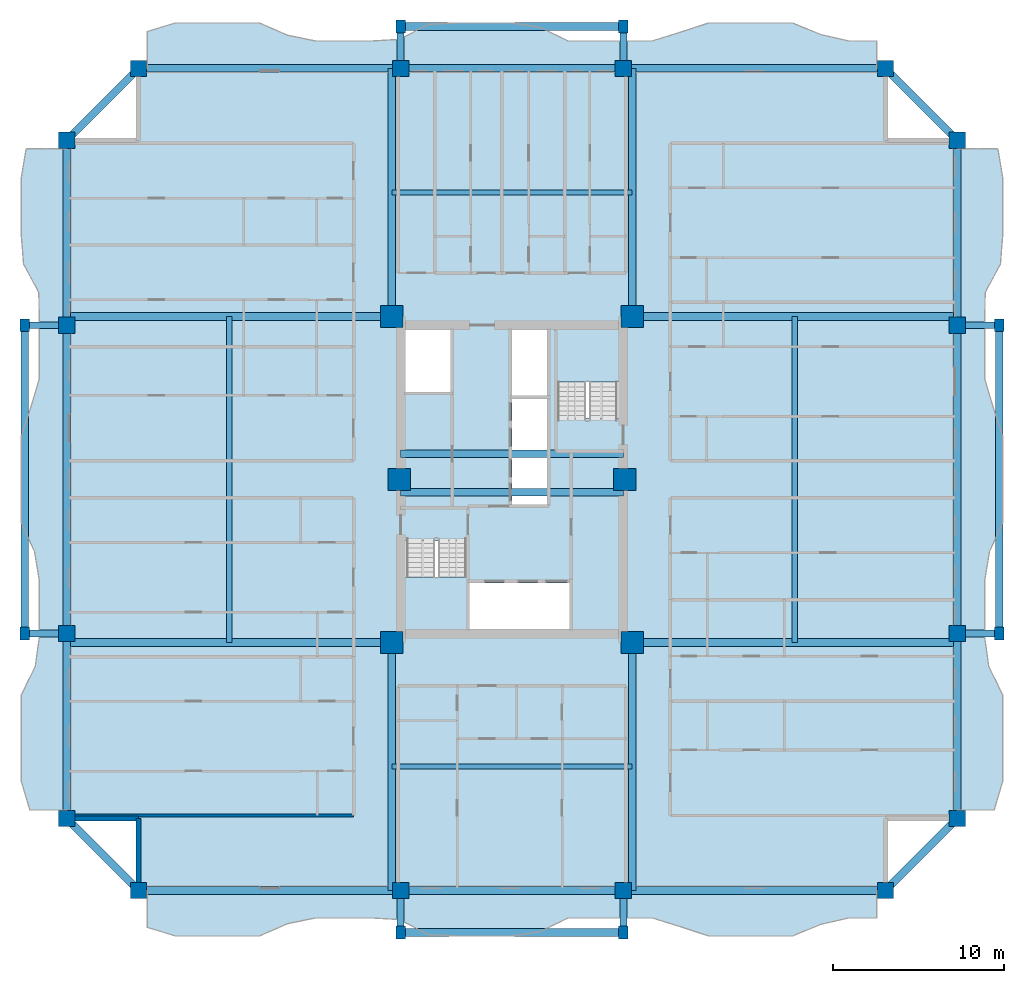
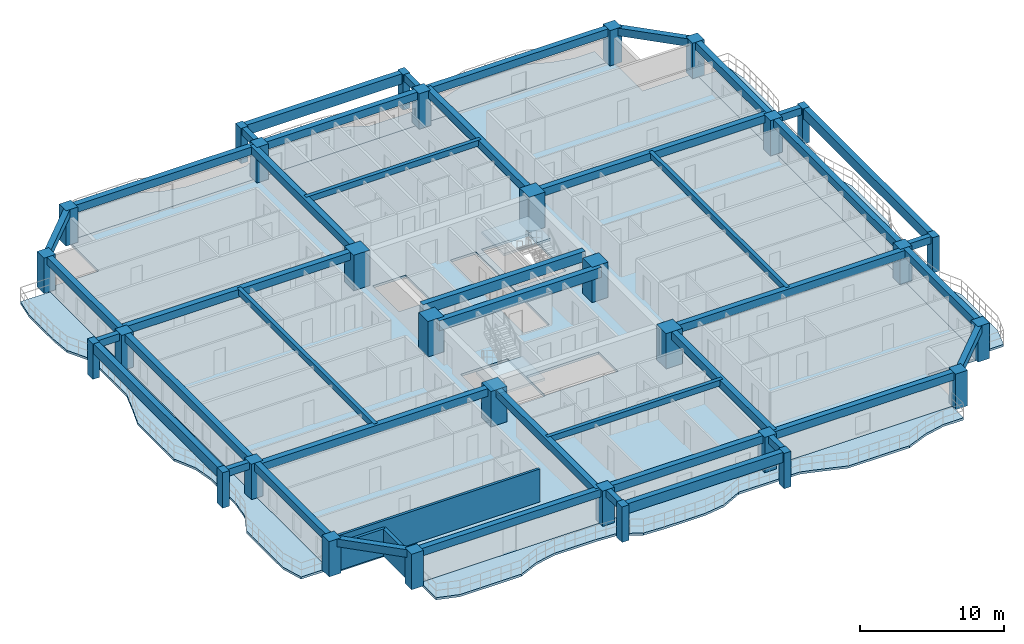
# One storey, part 1 of 14: 42 beams, 30 columns, 7 slabs, 3 walls, 2 elements without a shape of their own.
"""IFC4 building model written with IfcOpenShell, lengths in metres."""

from ifc_helpers import new_model, si_unit, direction, frame, frame_2d, origin, origin_2d, place, context, subcontext, project, spatial, polyline, rectangle, outline, extrude, source, transform, mapped, material, layer, layer_set, material_profile, profile_set, type_object, element, aggregate, save


model = new_model("IFC4")

# Units and contexts
model_context = context("Model", 3, precision=1e-05, world=origin(), true_north=direction((0.0, 1.0)))
body_context = subcontext(model_context, "Body", "Model", "MODEL_VIEW")
ifc_project = project(units=[si_unit("LENGTHUNIT", "METRE"), si_unit("AREAUNIT", "SQUARE_METRE"), si_unit("VOLUMEUNIT", "CUBIC_METRE"), si_unit("PLANEANGLEUNIT", "RADIAN"), si_unit("MASSUNIT", "GRAM", prefix="KILO")], contexts=[model_context])

# Site, building, storey
site_placement = place(None, origin())
site = spatial("IfcSite", under=ifc_project, at=site_placement, CompositionType="ELEMENT")
building_placement = place(site_placement, origin())
building = spatial("IfcBuilding", under=site, at=building_placement, Name="Saelheon Loggia Tower", CompositionType="ELEMENT")
storey_placement = place(building_placement, frame((0.0, 0.0, 113.85009765625)))
storey = spatial("IfcBuildingStorey", under=building, at=storey_placement, Name="L36", CompositionType="ELEMENT", Elevation=113.85009765625)

# Columns
ifc_material_1 = material(Name="Precast Concrete C45/55", Category="concrete")
ifc_material_profile_1 = material_profile(ifc_material_1, rectangle(XDim=0.550048828125, YDim=0.75, at=origin_2d()), Name="RC-550x750")
ifc_profile_set_1 = profile_set([ifc_material_profile_1], Name="Precast Concrete C45/55")
column_type_1 = type_object("IfcColumnType", Name="Col_Loggia_Pilaster_750", PredefinedType="PILASTER", material=ifc_profile_set_1)
shared_shape_1 = source(origin(), body_context, "Body", "SweptSolid", [
    extrude(rectangle(XDim=0.550048828125, YDim=0.75, at=origin_2d()), origin(), (0.0, 0.0, 1.0), 3.0),
])
for number, where, z_axis, x_axis, name in (
    (1, (31.5, 0.550048828125, 0.0), (0.0, 0.0, 1.0), (1.0, 0.0, 0.0), "L36 Loggia Frame Pilaster LP-S1"),
    (2, (44.5, 0.550048828125, 0.0), (0.0, 0.0, 1.0), (1.0, 0.0, 0.0), "L36 Loggia Frame Pilaster LP-S2"),
    (3, (31.5, 53.449951171875, 0.0), (0.0, 0.0, 1.0), (1.0, 0.0, 0.0), "L36 Loggia Frame Pilaster LP-N1"),
    (4, (44.5, 53.449951171875, 0.0), (0.0, 0.0, 1.0), (1.0, 0.0, 0.0), "L36 Loggia Frame Pilaster LP-N2"),
    (5, (66.449951171875, 18.0, 0.0), (0.0, 0.0, 1.0), (1.0, 0.0, 0.0), "L36 Loggia Frame Pilaster LP-E1"),
    (6, (66.449951171875, 36.0, 0.0), (0.0, 0.0, 1.0), (1.0, 0.0, 0.0), "L36 Loggia Frame Pilaster LP-E2"),
    (7, (9.550048828125, 18.0, 0.0), (0.0, 0.0, 1.0), (1.0, 0.0, 0.0), "L36 Loggia Frame Pilaster LP-W1"),
    (8, (9.550048828125, 36.0, 0.0), (0.0, 0.0, 1.0), (1.0, 0.0, 0.0), "L36 Loggia Frame Pilaster LP-W2"),
):
    element("IfcColumn", number, at=place(storey_placement, frame(where, z_axis=z_axis, x_axis=x_axis)), inside=storey, type_object=column_type_1, Name=name, PredefinedType="PILASTER", context=body_context, shape_type="MappedRepresentation", body=[
        mapped(shared_shape_1, transform((0.0, 0.0, 0.0), scale=1.0)),
    ])
ifc_material_2 = material(Name="Concrete C60/75", Category="concrete")
ifc_material_profile_2 = material_profile(ifc_material_2, rectangle(XDim=1.300048828125, YDim=1.300048828125, at=origin_2d()), Name="RC-1300x1300")
ifc_profile_set_2 = profile_set([ifc_material_profile_2], Name="Concrete C60/75")
column_type_2 = type_object("IfcColumnType", Name="Col_Core_RC1300", PredefinedType="COLUMN", material=ifc_profile_set_2)
shared_shape_2 = source(origin(), body_context, "Body", "SweptSolid", [
    extrude(rectangle(XDim=1.300048828125, YDim=1.300048828125, at=origin_2d()), origin(), (0.0, 0.0, 1.0), 3.0),
])
for number, where, z_axis, x_axis, name in (
    (9, (30.97998046875, 17.47998046875, 0.0), (0.0, 0.0, 1.0), (1.0, 0.0, 0.0), "L36 Core Column CR-SW"),
    (10, (45.02001953125, 17.47998046875, 0.0), (0.0, 0.0, 1.0), (1.0, 0.0, 0.0), "L36 Core Column CR-SE"),
    (11, (30.97998046875, 36.52001953125, 0.0), (0.0, 0.0, 1.0), (1.0, 0.0, 0.0), "L36 Core Column CR-NW"),
    (12, (45.02001953125, 36.52001953125, 0.0), (0.0, 0.0, 1.0), (1.0, 0.0, 0.0), "L36 Core Column CR-NE"),
    (13, (31.419921875, 27.0, 0.0), (0.0, 0.0, 1.0), (1.0, 0.0, 0.0), "L36 Core Column CR-MW"),
    (14, (44.580078125, 27.0, 0.0), (0.0, 0.0, 1.0), (1.0, 0.0, 0.0), "L36 Core Column CR-ME"),
):
    element("IfcColumn", number, at=place(storey_placement, frame(where, z_axis=z_axis, x_axis=x_axis)), inside=storey, type_object=column_type_2, Name=name, PredefinedType="COLUMN", context=body_context, shape_type="MappedRepresentation", body=[
        mapped(shared_shape_2, transform((0.0, 0.0, 0.0), scale=1.0)),
    ])
ifc_material_3 = material(Name="Concrete C50/60", Category="concrete")
ifc_material_profile_3 = material_profile(ifc_material_3, rectangle(XDim=0.949951171875, YDim=0.949951171875, at=origin_2d()), Name="RC-950x950")
ifc_profile_set_3 = profile_set([ifc_material_profile_3], Name="Concrete C50/60")
column_type_3 = type_object("IfcColumnType", Name="Col_Perim_RC950", PredefinedType="COLUMN", material=ifc_profile_set_3)
shared_shape_3 = source(origin(), body_context, "Body", "SweptSolid", [
    extrude(rectangle(XDim=0.949951171875, YDim=0.949951171875, at=origin_2d()), origin(), (0.0, 0.0, 1.0), 3.0),
])
for number, where, z_axis, x_axis, name in (
    (15, (16.199951171875, 3.0, 0.0), (0.0, 0.0, 1.0), (1.0, 0.0, 0.0), "L36 Perimeter Column TP-S1"),
    (16, (31.5, 3.0, 0.0), (0.0, 0.0, 1.0), (1.0, 0.0, 0.0), "L36 Perimeter Column TP-SA"),
    (17, (44.5, 3.0, 0.0), (0.0, 0.0, 1.0), (1.0, 0.0, 0.0), "L36 Perimeter Column TP-SB"),
    (18, (59.800048828125, 3.0, 0.0), (0.0, 0.0, 1.0), (1.0, 0.0, 0.0), "L36 Perimeter Column TP-S2"),
    (19, (64.0, 7.199951171875, 0.0), (0.0, 0.0, 1.0), (1.0, 0.0, 0.0), "L36 Perimeter Column TP-E1"),
    (20, (64.0, 18.0, 0.0), (0.0, 0.0, 1.0), (1.0, 0.0, 0.0), "L36 Perimeter Column TP-EA"),
    (21, (64.0, 36.0, 0.0), (0.0, 0.0, 1.0), (1.0, 0.0, 0.0), "L36 Perimeter Column TP-EB"),
    (22, (64.0, 46.800048828125, 0.0), (0.0, 0.0, 1.0), (1.0, 0.0, 0.0), "L36 Perimeter Column TP-E2"),
    (23, (59.800048828125, 51.0, 0.0), (0.0, 0.0, 1.0), (1.0, 0.0, 0.0), "L36 Perimeter Column TP-N2"),
    (24, (44.5, 51.0, 0.0), (0.0, 0.0, 1.0), (1.0, 0.0, 0.0), "L36 Perimeter Column TP-NB"),
    (25, (31.5, 51.0, 0.0), (0.0, 0.0, 1.0), (1.0, 0.0, 0.0), "L36 Perimeter Column TP-NA"),
    (26, (16.199951171875, 51.0, 0.0), (0.0, 0.0, 1.0), (1.0, 0.0, 0.0), "L36 Perimeter Column TP-N1"),
    (27, (12.0, 46.800048828125, 0.0), (0.0, 0.0, 1.0), (1.0, 0.0, 0.0), "L36 Perimeter Column TP-W2"),
    (28, (12.0, 36.0, 0.0), (0.0, 0.0, 1.0), (1.0, 0.0, 0.0), "L36 Perimeter Column TP-WB"),
    (29, (12.0, 18.0, 0.0), (0.0, 0.0, 1.0), (1.0, 0.0, 0.0), "L36 Perimeter Column TP-WA"),
    (30, (12.0, 7.199951171875, 0.0), (0.0, 0.0, 1.0), (1.0, 0.0, 0.0), "L36 Perimeter Column TP-W1"),
):
    element("IfcColumn", number, at=place(storey_placement, frame(where, z_axis=z_axis, x_axis=x_axis)), inside=storey, type_object=column_type_3, Name=name, PredefinedType="COLUMN", context=body_context, shape_type="MappedRepresentation", body=[
        mapped(shared_shape_3, transform((0.0, 0.0, 0.0), scale=1.0)),
    ])

# Beams
ifc_material_profile_4 = material_profile(ifc_material_3, rectangle(XDim=0.449951171875, YDim=0.85009765625, at=origin_2d()), Name="RC-450x850")
ifc_profile_set_4 = profile_set([ifc_material_profile_4], Name="Concrete C50/60")
beam_type_1 = type_object("IfcBeamType", Name="Beam_CoreLintel_RC450x850", PredefinedType="LINTEL", material=ifc_profile_set_4)
shared_shape_4 = source(origin(), body_context, "Body", "SweptSolid", [
    extrude(rectangle(XDim=0.449951171875, YDim=0.85009765625, at=origin_2d()), origin(), (0.0, 0.0, 1.0), 13.0),
])
for number, where, z_axis, x_axis, name in (
    (31, (31.5, 26.25, 2.574951171875), (1.0, 0.0, 0.0), (0.0, 1.0, 0.0), "L36 Core Coupling Lintel 1"),
    (32, (31.5, 28.5, 2.574951171875), (1.0, 0.0, 0.0), (0.0, 1.0, 0.0), "L36 Core Coupling Lintel 2"),
):
    element("IfcBeam", number, at=place(storey_placement, frame(where, z_axis=z_axis, x_axis=x_axis)), inside=storey, type_object=beam_type_1, Name=name, PredefinedType="LINTEL", context=body_context, shape_type="MappedRepresentation", body=[
        mapped(shared_shape_4, transform((0.0, 0.0, 0.0), scale=1.0)),
    ])
ifc_material_profile_5 = material_profile(ifc_material_1, rectangle(XDim=0.449951171875, YDim=0.85009765625, at=origin_2d()), Name="RC-450x850")
ifc_profile_set_5 = profile_set([ifc_material_profile_5], Name="Precast Concrete C45/55")
beam_type_2 = type_object("IfcBeamType", Name="Beam_LoggiaSpandrel_RC450x850", PredefinedType="SPANDREL", material=ifc_profile_set_5)
for number, where, z_axis, x_axis, name in (
    (33, (31.5, 0.550048828125, 2.574951171875), (1.0, 0.0, 0.0), (0.0, 1.0, 0.0), "L36 Loggia Spandrel Beam S"),
    (34, (31.5, 53.449951171875, 2.574951171875), (1.0, 0.0, 0.0), (0.0, 1.0, 0.0), "L36 Loggia Spandrel Beam N"),
):
    element("IfcBeam", number, at=place(storey_placement, frame(where, z_axis=z_axis, x_axis=x_axis)), inside=storey, type_object=beam_type_2, Name=name, PredefinedType="SPANDREL", context=body_context, shape_type="MappedRepresentation", body=[
        mapped(shared_shape_4, transform((0.0, 0.0, 0.0), scale=1.0)),
    ])
ifc_material_profile_6 = material_profile(ifc_material_1, rectangle(XDim=0.39990234375, YDim=0.60009765625, at=origin_2d()), Name="RC-400x600")
ifc_profile_set_6 = profile_set([ifc_material_profile_6], Name="Precast Concrete C45/55")
beam_type_3 = type_object("IfcBeamType", Name="Beam_LoggiaTie_RC400x600", PredefinedType="BEAM", material=ifc_profile_set_6)
shared_shape_5 = source(origin(), body_context, "Body", "SweptSolid", [
    extrude(rectangle(XDim=0.39990234375, YDim=0.60009765625, at=origin_2d()), origin(), (0.0, 0.0, 1.0), 2.449951171875),
])
for number, where, z_axis, x_axis, name in (
    (35, (31.5, 3.0, 2.699951171875), (0.0, -1.0, 0.0), (1.0, 0.0, 0.0), "L36 Loggia Frame Tie Beam LP-S1"),
    (36, (44.5, 3.0, 2.699951171875), (0.0, -1.0, 0.0), (1.0, 0.0, 0.0), "L36 Loggia Frame Tie Beam LP-S2"),
    (37, (31.5, 51.0, 2.699951171875), (0.0, 1.0, 0.0), (-1.0, 0.0, 0.0), "L36 Loggia Frame Tie Beam LP-N1"),
    (38, (44.5, 51.0, 2.699951171875), (0.0, 1.0, 0.0), (-1.0, 0.0, 0.0), "L36 Loggia Frame Tie Beam LP-N2"),
    (39, (64.0, 18.0, 2.699951171875), (1.0, 0.0, 0.0), (0.0, 1.0, 0.0), "L36 Loggia Frame Tie Beam LP-E1"),
    (40, (64.0, 36.0, 2.699951171875), (1.0, 0.0, 0.0), (0.0, 1.0, 0.0), "L36 Loggia Frame Tie Beam LP-E2"),
    (41, (12.0, 18.0, 2.699951171875), (-1.0, 0.0, 0.0), (0.0, -1.0, 0.0), "L36 Loggia Frame Tie Beam LP-W1"),
    (42, (12.0, 36.0, 2.699951171875), (-1.0, 0.0, 0.0), (0.0, -1.0, 0.0), "L36 Loggia Frame Tie Beam LP-W2"),
):
    element("IfcBeam", number, at=place(storey_placement, frame(where, z_axis=z_axis, x_axis=x_axis)), inside=storey, type_object=beam_type_3, Name=name, PredefinedType="BEAM", context=body_context, shape_type="MappedRepresentation", body=[
        mapped(shared_shape_5, transform((0.0, 0.0, 0.0), scale=1.0)),
    ])
shared_shape_6 = source(origin(), body_context, "Body", "SweptSolid", [
    extrude(rectangle(XDim=0.449951171875, YDim=0.85009765625, at=origin_2d()), origin(), (0.0, 0.0, 1.0), 18.0),
])
for number, where, z_axis, x_axis, name in (
    (43, (66.449951171875, 18.0, 2.574951171875), (0.0, 1.0, 0.0), (-1.0, 0.0, 0.0), "L36 Loggia Spandrel Beam E"),
    (44, (9.550048828125, 18.0, 2.574951171875), (0.0, 1.0, 0.0), (-1.0, 0.0, 0.0), "L36 Loggia Spandrel Beam W"),
):
    element("IfcBeam", number, at=place(storey_placement, frame(where, z_axis=z_axis, x_axis=x_axis)), inside=storey, type_object=beam_type_2, Name=name, PredefinedType="SPANDREL", context=body_context, shape_type="MappedRepresentation", body=[
        mapped(shared_shape_6, transform((0.0, 0.0, 0.0), scale=1.0)),
    ])
ifc_material_4 = material(Name="Concrete C40/50", Category="concrete")
ifc_material_profile_7 = material_profile(ifc_material_4, rectangle(XDim=0.449951171875, YDim=0.64990234375, at=origin_2d()), Name="RC-450x650")
ifc_profile_set_7 = profile_set([ifc_material_profile_7], Name="Concrete C40/50")
beam_type_4 = type_object("IfcBeamType", Name="Beam_PerimTower_RC450x650", PredefinedType="BEAM", material=ifc_profile_set_7)
shared_shape_7 = source(origin(), body_context, "Body", "SweptSolid", [
    extrude(rectangle(XDim=0.449951171875, YDim=0.64990234375, at=origin_2d()), origin(), (0.0, 0.0, 1.0), 15.300048828125),
])
for number, where, z_axis, x_axis, name in (
    (45, (16.199951171875, 3.0, 2.6748046875), (1.0, 0.0, 0.0), (0.0, 1.0, 0.0), "L36 Perimeter Frame Girder 01"),
    (46, (44.5, 3.0, 2.6748046875), (1.0, 0.0, 0.0), (0.0, 1.0, 0.0), "L36 Perimeter Frame Girder 03"),
    (47, (59.800048828125, 51.0, 2.6748046875), (-1.0, 0.0, 0.0), (0.0, -1.0, 0.0), "L36 Perimeter Frame Girder 09"),
    (48, (31.5, 51.0, 2.6748046875), (-1.0, 0.0, 0.0), (0.0, -1.0, 0.0), "L36 Perimeter Frame Girder 11"),
):
    element("IfcBeam", number, at=place(storey_placement, frame(where, z_axis=z_axis, x_axis=x_axis)), inside=storey, type_object=beam_type_4, Name=name, PredefinedType="BEAM", context=body_context, shape_type="MappedRepresentation", body=[
        mapped(shared_shape_7, transform((0.0, 0.0, 0.0), scale=1.0)),
    ])
shared_shape_8 = source(origin(), body_context, "Body", "SweptSolid", [
    extrude(rectangle(XDim=0.449951171875, YDim=0.64990234375, at=origin_2d()), origin(), (0.0, 0.0, 1.0), 13.0),
])
for number, where, z_axis, x_axis, name in (
    (49, (31.5, 3.0, 2.6748046875), (1.0, 0.0, 0.0), (0.0, 1.0, 0.0), "L36 Perimeter Frame Girder 02"),
    (50, (44.5, 51.0, 2.6748046875), (-1.0, 0.0, 0.0), (0.0, -1.0, 0.0), "L36 Perimeter Frame Girder 10"),
):
    element("IfcBeam", number, at=place(storey_placement, frame(where, z_axis=z_axis, x_axis=x_axis)), inside=storey, type_object=beam_type_4, Name=name, PredefinedType="BEAM", context=body_context, shape_type="MappedRepresentation", body=[
        mapped(shared_shape_8, transform((0.0, 0.0, 0.0), scale=1.0)),
    ])
shared_shape_9 = source(origin(), body_context, "Body", "SweptSolid", [
    extrude(rectangle(XDim=0.449951171875, YDim=0.64990234375, at=origin_2d()), origin(), (0.0, 0.0, 1.0), 5.939697265625),
])
for number, where, z_axis, x_axis, name in (
    (51, (59.800048828125, 3.0, 2.6748046875), (0.707106781187, 0.707106781187, 0.0), (-0.707106781187, 0.707106781187, 0.0), "L36 Perimeter Frame Girder 04"),
    (52, (64.0, 46.800048828125, 2.6748046875), (-0.707106781187, 0.707106781187, 0.0), (-0.707106781187, -0.707106781187, 0.0), "L36 Perimeter Frame Girder 08"),
    (53, (16.199951171875, 51.0, 2.6748046875), (-0.707106781187, -0.707106781187, 0.0), (0.707106781187, -0.707106781187, 0.0), "L36 Perimeter Frame Girder 12"),
    (54, (12.0, 7.199951171875, 2.6748046875), (0.707106781187, -0.707106781187, 0.0), (0.707106781187, 0.707106781187, 0.0), "L36 Perimeter Frame Girder 16"),
):
    element("IfcBeam", number, at=place(storey_placement, frame(where, z_axis=z_axis, x_axis=x_axis)), inside=storey, type_object=beam_type_4, Name=name, PredefinedType="BEAM", context=body_context, shape_type="MappedRepresentation", body=[
        mapped(shared_shape_9, transform((0.0, 0.0, 0.0), scale=1.0)),
    ])
shared_shape_10 = source(origin(), body_context, "Body", "SweptSolid", [
    extrude(rectangle(XDim=0.449951171875, YDim=0.64990234375, at=origin_2d()), origin(), (0.0, 0.0, 1.0), 10.800048828125),
])
for number, where, z_axis, x_axis, name in (
    (55, (64.0, 7.199951171875, 2.6748046875), (0.0, 1.0, 0.0), (-1.0, 0.0, 0.0), "L36 Perimeter Frame Girder 05"),
    (56, (64.0, 36.0, 2.6748046875), (0.0, 1.0, 0.0), (-1.0, 0.0, 0.0), "L36 Perimeter Frame Girder 07"),
    (57, (12.0, 46.800048828125, 2.6748046875), (0.0, -1.0, 0.0), (1.0, 0.0, 0.0), "L36 Perimeter Frame Girder 13"),
    (58, (12.0, 18.0, 2.6748046875), (0.0, -1.0, 0.0), (1.0, 0.0, 0.0), "L36 Perimeter Frame Girder 15"),
):
    element("IfcBeam", number, at=place(storey_placement, frame(where, z_axis=z_axis, x_axis=x_axis)), inside=storey, type_object=beam_type_4, Name=name, PredefinedType="BEAM", context=body_context, shape_type="MappedRepresentation", body=[
        mapped(shared_shape_10, transform((0.0, 0.0, 0.0), scale=1.0)),
    ])
shared_shape_11 = source(origin(), body_context, "Body", "SweptSolid", [
    extrude(rectangle(XDim=0.449951171875, YDim=0.64990234375, at=origin_2d()), origin(), (0.0, 0.0, 1.0), 18.0),
])
for number, where, z_axis, x_axis, name in (
    (59, (64.0, 18.0, 2.6748046875), (0.0, 1.0, 0.0), (-1.0, 0.0, 0.0), "L36 Perimeter Frame Girder 06"),
    (60, (12.0, 36.0, 2.6748046875), (0.0, -1.0, 0.0), (1.0, 0.0, 0.0), "L36 Perimeter Frame Girder 14"),
):
    element("IfcBeam", number, at=place(storey_placement, frame(where, z_axis=z_axis, x_axis=x_axis)), inside=storey, type_object=beam_type_4, Name=name, PredefinedType="BEAM", context=body_context, shape_type="MappedRepresentation", body=[
        mapped(shared_shape_11, transform((0.0, 0.0, 0.0), scale=1.0)),
    ])
ifc_material_profile_8 = material_profile(ifc_material_4, rectangle(XDim=0.449951171875, YDim=0.64990234375, at=origin_2d()), Name="RC-450x650")
ifc_profile_set_8 = profile_set([ifc_material_profile_8], Name="Concrete C40/50")
beam_type_5 = type_object("IfcBeamType", Name="Beam_TowerGirder_RC450x650", PredefinedType="BEAM", material=ifc_profile_set_8)
shared_shape_12 = source(origin(), body_context, "Body", "SweptSolid", [
    extrude(rectangle(XDim=0.449951171875, YDim=0.64990234375, at=origin_2d()), origin(), (0.0, 0.0, 1.0), 14.47998046875),
])
for number, where, z_axis, x_axis, name in (
    (61, (30.97998046875, 17.47998046875, 2.6748046875), (0.0, -1.0, 0.0), (1.0, 0.0, 0.0), "L36 Radial Floor Girder RAD-SW-S"),
    (62, (45.02001953125, 17.47998046875, 2.6748046875), (0.0, -1.0, 0.0), (1.0, 0.0, 0.0), "L36 Radial Floor Girder RAD-SE-S"),
    (63, (30.97998046875, 36.52001953125, 2.6748046875), (0.0, 1.0, 0.0), (-1.0, 0.0, 0.0), "L36 Radial Floor Girder RAD-NW-N"),
    (64, (45.02001953125, 36.52001953125, 2.6748046875), (0.0, 1.0, 0.0), (-1.0, 0.0, 0.0), "L36 Radial Floor Girder RAD-NE-N"),
):
    element("IfcBeam", number, at=place(storey_placement, frame(where, z_axis=z_axis, x_axis=x_axis)), inside=storey, type_object=beam_type_5, Name=name, PredefinedType="BEAM", context=body_context, shape_type="MappedRepresentation", body=[
        mapped(shared_shape_12, transform((0.0, 0.0, 0.0), scale=1.0)),
    ])
shared_shape_13 = source(origin(), body_context, "Body", "SweptSolid", [
    extrude(rectangle(XDim=0.449951171875, YDim=0.64990234375, at=origin_2d()), origin(), (0.0, 0.0, 1.0), 18.97998046875),
])
for number, where, z_axis, x_axis, name in (
    (65, (30.97998046875, 17.47998046875, 2.6748046875), (-1.0, 0.0, 0.0), (0.0, -1.0, 0.0), "L36 Radial Floor Girder RAD-SW-W"),
    (66, (30.97998046875, 36.52001953125, 2.6748046875), (-1.0, 0.0, 0.0), (0.0, -1.0, 0.0), "L36 Radial Floor Girder RAD-NW-W"),
    (67, (45.02001953125, 17.47998046875, 2.6748046875), (1.0, 0.0, 0.0), (0.0, 1.0, 0.0), "L36 Radial Floor Girder RAD-SE-E"),
    (68, (45.02001953125, 36.52001953125, 2.6748046875), (1.0, 0.0, 0.0), (0.0, 1.0, 0.0), "L36 Radial Floor Girder RAD-NE-E"),
):
    element("IfcBeam", number, at=place(storey_placement, frame(where, z_axis=z_axis, x_axis=x_axis)), inside=storey, type_object=beam_type_5, Name=name, PredefinedType="BEAM", context=body_context, shape_type="MappedRepresentation", body=[
        mapped(shared_shape_13, transform((0.0, 0.0, 0.0), scale=1.0)),
    ])
ifc_material_profile_9 = material_profile(ifc_material_4, rectangle(XDim=0.300048828125, YDim=0.5, at=origin_2d()), Name="RC-300x500")
ifc_profile_set_9 = profile_set([ifc_material_profile_9], Name="Concrete C40/50")
beam_type_6 = type_object("IfcBeamType", Name="Beam_Joist_RC300x500", PredefinedType="JOIST", material=ifc_profile_set_9)
shared_shape_14 = source(origin(), body_context, "Body", "SweptSolid", [
    extrude(rectangle(XDim=0.300048828125, YDim=0.5, at=origin_2d()), origin(), (0.0, 0.0, 1.0), 14.0400390625),
])
for number, where, z_axis, x_axis, name in (
    (69, (30.97998046875, 10.239990234375, 2.75), (1.0, 0.0, 0.0), (0.0, 1.0, 0.0), "L36 South Floor Joist"),
    (70, (30.97998046875, 43.760009765625, 2.75), (1.0, 0.0, 0.0), (0.0, 1.0, 0.0), "L36 North Floor Joist"),
):
    element("IfcBeam", number, at=place(storey_placement, frame(where, z_axis=z_axis, x_axis=x_axis)), inside=storey, type_object=beam_type_6, Name=name, PredefinedType="JOIST", context=body_context, shape_type="MappedRepresentation", body=[
        mapped(shared_shape_14, transform((0.0, 0.0, 0.0), scale=1.0)),
    ])
shared_shape_15 = source(origin(), body_context, "Body", "SweptSolid", [
    extrude(rectangle(XDim=0.300048828125, YDim=0.5, at=origin_2d()), origin(), (0.0, 0.0, 1.0), 19.0400390625),
])
for number, where, z_axis, x_axis, name in (
    (71, (21.489990234375, 17.47998046875, 2.75), (0.0, 1.0, 0.0), (-1.0, 0.0, 0.0), "L36 West Floor Joist"),
    (72, (54.510009765625, 17.47998046875, 2.75), (0.0, 1.0, 0.0), (-1.0, 0.0, 0.0), "L36 East Floor Joist"),
):
    element("IfcBeam", number, at=place(storey_placement, frame(where, z_axis=z_axis, x_axis=x_axis)), inside=storey, type_object=beam_type_6, Name=name, PredefinedType="JOIST", context=body_context, shape_type="MappedRepresentation", body=[
        mapped(shared_shape_15, transform((0.0, 0.0, 0.0), scale=1.0)),
    ])

# Slabs
ifc_layer_1 = layer(ifc_material_1, 0.18994140625)
ifc_layer_set_1 = layer_set([ifc_layer_1], Name="Precast Concrete C45/55")
slab_type_1 = type_object("IfcSlabType", Name="Slab_Loggia_Ext_190", PredefinedType="FLOOR", material=ifc_layer_set_1)
slab_1_placement = place(storey_placement, frame((0.0, 0.0, -0.190185546875)))
element("IfcSlab", 73, at=slab_1_placement, inside=storey, type_object=slab_type_1, Name="L36 Loggia Balcony Slab S", PredefinedType="FLOOR", context=body_context, shape_type="SweptSolid", body=[
    extrude(outline(polyline([(16.699951171875, 0.85009765625), (18.33837890625, 0.35009765625), (19.976806640625, 0.35009765625), (21.615478515625, 0.35009765625), (23.25390625, 0.35009765625), (24.892333984375, 1.0625), (26.53076171875, 1.39990234375), (28.169189453125, 1.39990234375), (29.8076171875, 1.39990234375), (31.4462890625, 1.30517578125), (33.084716796875, 0.430419921875), (34.72314453125, 0.35009765625), (36.361572265625, 0.35009765625), (38.0, 0.35009765625), (39.638427734375, 0.6005859375), (41.27685546875, 1.39990234375), (42.915283203125, 1.39990234375), (44.5537109375, 1.39990234375), (46.1923828125, 1.39990234375), (47.830810546875, 0.8876953125), (49.46923828125, 0.35009765625), (51.107666015625, 0.35009765625), (52.74609375, 0.35009765625), (54.384521484375, 0.35009765625), (56.023193359375, 1.025146484375), (57.66162109375, 1.39990234375), (59.300048828125, 1.39990234375), (59.300048828125, 3.0), (16.699951171875, 3.0), (16.699951171875, 0.85009765625)])), origin(), (0.0, 0.0, 1.0), 0.190185546875),
])
slab_2_placement = place(storey_placement, frame((0.0, 0.0, -0.190185546875)))
element("IfcSlab", 74, at=slab_2_placement, inside=storey, type_object=slab_type_1, Name="L36 Loggia Balcony Slab N", PredefinedType="FLOOR", context=body_context, shape_type="SweptSolid", body=[
    extrude(outline(polyline([(16.699951171875, 51.0), (59.300048828125, 51.0), (59.300048828125, 52.60009765625), (57.66162109375, 52.60009765625), (56.023193359375, 52.974853515625), (54.384521484375, 53.64990234375), (52.74609375, 53.64990234375), (51.107666015625, 53.64990234375), (49.46923828125, 53.64990234375), (47.830810546875, 53.1123046875), (46.1923828125, 52.60009765625), (44.5537109375, 52.60009765625), (42.915283203125, 52.60009765625), (41.27685546875, 52.60009765625), (39.638427734375, 53.3994140625), (38.0, 53.64990234375), (36.361572265625, 53.64990234375), (34.72314453125, 53.64990234375), (33.084716796875, 53.569580078125), (31.4462890625, 52.69482421875), (29.8076171875, 52.60009765625), (28.169189453125, 52.60009765625), (26.53076171875, 52.60009765625), (24.892333984375, 52.9375), (23.25390625, 53.64990234375), (21.615478515625, 53.64990234375), (19.976806640625, 53.64990234375), (18.33837890625, 53.64990234375), (16.699951171875, 53.14990234375), (16.699951171875, 51.0)])), origin(), (0.0, 0.0, 1.0), 0.190185546875),
])
slab_3_placement = place(storey_placement, frame((0.0, 0.0, -0.190185546875)))
element("IfcSlab", 75, at=slab_3_placement, inside=storey, type_object=slab_type_1, Name="L36 Loggia Balcony Slab E", PredefinedType="FLOOR", context=body_context, shape_type="SweptSolid", body=[
    extrude(outline(polyline([(64.0, 7.699951171875), (66.14990234375, 7.699951171875), (66.64990234375, 9.37841796875), (66.64990234375, 11.056396484375), (66.64990234375, 12.73486328125), (66.64990234375, 14.4130859375), (65.83154296875, 16.09130859375), (65.60009765625, 17.76953125), (65.60009765625, 19.44775390625), (65.60009765625, 21.126220703125), (65.88232421875, 22.80419921875), (66.64990234375, 24.482666015625), (66.64990234375, 26.160888671875), (66.64990234375, 27.839111328125), (66.64990234375, 29.517333984375), (66.097900390625, 31.19580078125), (65.60009765625, 32.873779296875), (65.60009765625, 34.55224609375), (65.60009765625, 36.23046875), (65.625244140625, 37.90869140625), (66.518798828125, 39.5869140625), (66.64990234375, 41.26513671875), (66.64990234375, 42.943603515625), (66.64990234375, 44.62158203125), (66.36669921875, 46.300048828125), (64.0, 46.300048828125), (64.0, 7.699951171875)])), origin(), (0.0, 0.0, 1.0), 0.190185546875),
])
slab_4_placement = place(storey_placement, frame((0.0, 0.0, -0.190185546875)))
element("IfcSlab", 76, at=slab_4_placement, inside=storey, type_object=slab_type_1, Name="L36 Loggia Balcony Slab W", PredefinedType="FLOOR", context=body_context, shape_type="SweptSolid", body=[
    extrude(outline(polyline([(12.0, 7.699951171875), (12.0, 46.300048828125), (9.63330078125, 46.300048828125), (9.35009765625, 44.62158203125), (9.35009765625, 42.943603515625), (9.35009765625, 41.26513671875), (9.481201171875, 39.5869140625), (10.374755859375, 37.90869140625), (10.39990234375, 36.23046875), (10.39990234375, 34.55224609375), (10.39990234375, 32.873779296875), (9.902099609375, 31.19580078125), (9.35009765625, 29.517333984375), (9.35009765625, 27.839111328125), (9.35009765625, 26.160888671875), (9.35009765625, 24.482666015625), (10.11767578125, 22.80419921875), (10.39990234375, 21.126220703125), (10.39990234375, 19.44775390625), (10.39990234375, 17.76953125), (10.16845703125, 16.09130859375), (9.35009765625, 14.4130859375), (9.35009765625, 12.73486328125), (9.35009765625, 11.056396484375), (9.35009765625, 9.37841796875), (9.85009765625, 7.699951171875), (12.0, 7.699951171875)])), origin(), (0.0, 0.0, 1.0), 0.190185546875),
])

# Stair, slab
stair_type = type_object("IfcStairType", Name="Stair_Escape_Core", PredefinedType="HALF_TURN_STAIR", material=ifc_material_4)
stair_1_placement = place(storey_placement, origin())
stair_1 = element("IfcStair", 77, at=stair_1_placement, inside=storey, type_object=stair_type, Name="L36 Special Escape Stair ST1", PredefinedType="HALF_TURN_STAIR")
ifc_layer_2 = layer(ifc_material_4, 0.199951171875)
ifc_layer_set_2 = layer_set([ifc_layer_2], Name="Concrete C40/50")
slab_type_2 = type_object("IfcSlabType", Name="Slab_StairLanding_ST1", PredefinedType="LANDING", material=ifc_layer_set_2)
slab_5_placement = place(storey_placement, frame((0.0, 0.0, 1.2998046875)))
slab_5 = element("IfcSlab", 78, at=slab_5_placement, type_object=slab_type_2, Name="ST1 landing 1", PredefinedType="LANDING", context=body_context, shape_type="SweptSolid", body=[
    extrude(outline(polyline([(31.7099609375, 21.31005859375), (31.7099609375, 18.2099609375), (35.469970703125, 18.2099609375), (35.469970703125, 21.31005859375), (31.7099609375, 21.31005859375)])), origin(), (0.0, 0.0, 1.0), 0.2001953125),
])
aggregate(stair_1, [slab_5])

stair_2_placement = place(storey_placement, origin())
stair_2 = element("IfcStair", 79, at=stair_2_placement, inside=storey, type_object=stair_type, Name="L36 Special Escape Stair ST2", PredefinedType="HALF_TURN_STAIR")
ifc_layer_3 = layer(ifc_material_4, 0.199951171875)
ifc_layer_set_3 = layer_set([ifc_layer_3], Name="Concrete C40/50")
slab_type_3 = type_object("IfcSlabType", Name="Slab_StairLanding_ST2", PredefinedType="LANDING", material=ifc_layer_set_3)
slab_6_placement = place(storey_placement, frame((0.0, 0.0, 1.2998046875)))
slab_6 = element("IfcSlab", 80, at=slab_6_placement, type_object=slab_type_3, Name="ST2 landing 1", PredefinedType="LANDING", context=body_context, shape_type="SweptSolid", body=[
    extrude(outline(polyline([(44.2900390625, 32.68994140625), (44.2900390625, 35.7900390625), (40.530029296875, 35.7900390625), (40.530029296875, 32.68994140625), (44.2900390625, 32.68994140625)])), origin(), (0.0, 0.0, 1.0), 0.2001953125),
])
aggregate(stair_2, [slab_6])

# Slab
ifc_layer_4 = layer(ifc_material_4, 0.2099609375)
ifc_layer_set_4 = layer_set([ifc_layer_4], Name="Concrete C40/50")
slab_type_4 = type_object("IfcSlabType", Name="Slab_Tower_210", PredefinedType="FLOOR", material=ifc_layer_set_4)
slab_7_placement = place(storey_placement, frame((0.0, 0.0, -0.210205078125)))
element("IfcSlab", 81, at=slab_7_placement, inside=storey, type_object=slab_type_4, Name="L36 Tower Floor Slab", PredefinedType="FLOOR", context=body_context, shape_type="SweptSolid", body=[
    extrude(outline(polyline([(16.199951171875, 3.0), (59.800048828125, 3.0), (59.800048828125, 7.199951171875), (64.0, 7.199951171875), (64.0, 46.800048828125), (59.800048828125, 46.800048828125), (59.800048828125, 51.0), (16.199951171875, 51.0), (16.199951171875, 46.800048828125), (12.0, 46.800048828125), (12.0, 7.199951171875), (16.199951171875, 7.199951171875), (16.199951171875, 3.0)]), holes=[polyline([(31.699951171875, 23.409912109375), (31.699951171875, 18.199951171875), (35.47998046875, 18.199951171875), (35.47998046875, 23.409912109375), (31.699951171875, 23.409912109375)]), polyline([(44.300048828125, 30.590087890625), (44.300048828125, 35.800048828125), (40.52001953125, 35.800048828125), (40.52001953125, 30.590087890625), (44.300048828125, 30.590087890625)]), polyline([(35.530029296875, 18.27490234375), (41.35009765625, 18.27490234375), (41.35009765625, 20.9599609375), (35.530029296875, 20.9599609375), (35.530029296875, 18.27490234375)]), polyline([(31.77490234375, 32.1201171875), (34.419921875, 32.1201171875), (34.419921875, 35.72509765625), (31.77490234375, 35.72509765625), (31.77490234375, 32.1201171875)]), polyline([(38.0, 31.89990234375), (40.050048828125, 31.89990234375), (40.050048828125, 35.72509765625), (38.0, 35.72509765625), (38.0, 31.89990234375)]), polyline([(38.0, 25.5400390625), (40.050048828125, 25.5400390625), (40.050048828125, 31.699951171875), (38.0, 31.699951171875), (38.0, 25.5400390625)])]), origin(), (0.0, 0.0, 1.0), 0.210205078125),
])

# Walls
ifc_material_5 = material(Name="Architectural Precast Concrete C40/50", Category="concrete")
ifc_layer_5 = layer(ifc_material_5, 0.280029296875)
ifc_layer_set_5 = layer_set([ifc_layer_5], Name="Architectural Precast Concrete C40/50")
wall_type_1 = type_object("IfcWallType", Name="Wall_Ext_Loggia_280", PredefinedType="SOLIDWALL", material=ifc_layer_set_5)
for number, where, z_axis, x_axis, name in (
    (82, (16.199951171875, 3.080078125, 0.0), (0.0, 0.0, 1.0), (0.0, 1.0, 0.0), "L36 Corner Notch Precast Wall SW1"),
    (83, (12.080078125, 7.199951171875, 0.0), (0.0, 0.0, 1.0), (1.0, 0.0, 0.0), "L36 Corner Notch Precast Wall SW2"),
):
    element("IfcWall", number, at=place(storey_placement, frame(where, z_axis=z_axis, x_axis=x_axis)), inside=storey, type_object=wall_type_1, Name=name, PredefinedType="SOLIDWALL", context=body_context, shape_type="SweptSolid", body=[
        extrude(rectangle(XDim=4.119873046875, YDim=0.280029296875, at=frame_2d((2.06005859375, 0.0))), origin(), (0.0, 0.0, 1.0), 2.27978515625),
    ])
ifc_material_6 = material(Name="Double Acoustic Stud and Fireboard Partition", Category="gypsum")
ifc_layer_6 = layer(ifc_material_6, 0.199951171875)
ifc_layer_set_6 = layer_set([ifc_layer_6], Name="Double Acoustic Stud and Fireboard Partition")
wall_type_2 = type_object("IfcWallType", Name="Wall_Party_200", PredefinedType="PARTITIONING", material=ifc_layer_set_6)
wall_placement = place(storey_placement, frame((28.75, 7.3798828125, 0.0), z_axis=(0.0, 0.0, 1.0), x_axis=(-1.0, 0.0, 0.0)))
element("IfcWall", 84, at=wall_placement, inside=storey, type_object=wall_type_2, Name="L36 WS Partition U01", PredefinedType="PARTITIONING", context=body_context, shape_type="SweptSolid", body=[
    extrude(rectangle(XDim=16.60009765625, YDim=0.199951171875, at=frame_2d((8.300048828125, 0.0))), origin(), (0.0, 0.0, 1.0), 2.789794921875),
])

save(model, "model.ifc")
